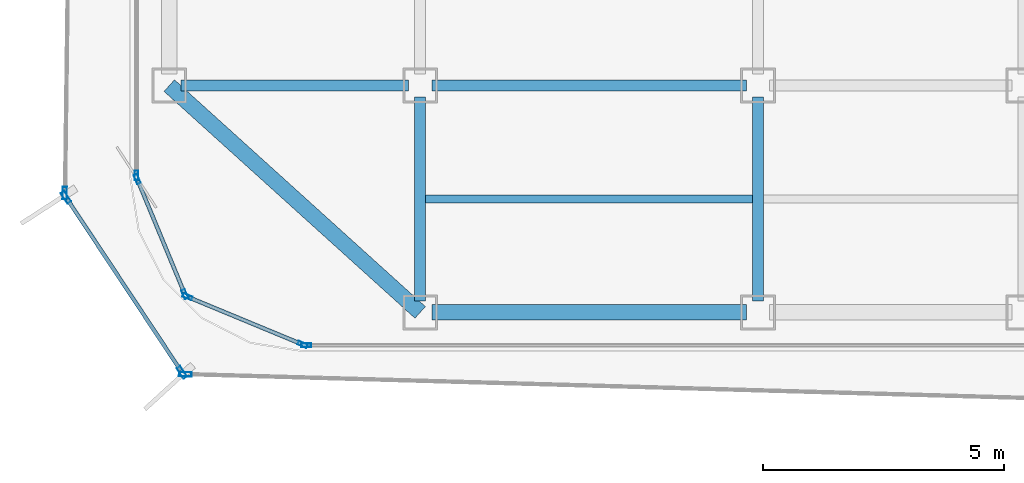
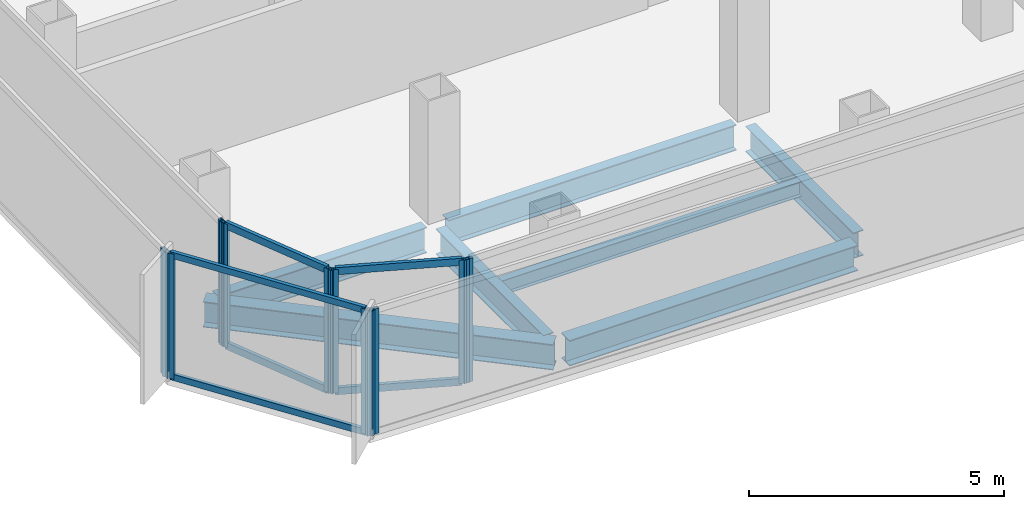
# One storey, part 2 of 15: 16 members, 7 beams, 7 elements without a shape of their own.
"""IFC4 building model written with IfcOpenShell, lengths in metres."""

from ifc_helpers import new_model, si_unit, direction, frame, origin, origin_2d, place, context, subcontext, project, spatial, hollow_rectangle, i_section, extrude, source, transform, mapped, material, layer, layer_set, material_profile, profile_set, type_object, element, aggregate, save


model = new_model("IFC4")

# Units and contexts
model_context = context("Model", 3, precision=1e-05, world=origin(), true_north=direction((0.0, 1.0)))
body_context = subcontext(model_context, "Body", "Model", "MODEL_VIEW")
ifc_project = project(units=[si_unit("LENGTHUNIT", "METRE"), si_unit("AREAUNIT", "SQUARE_METRE"), si_unit("VOLUMEUNIT", "CUBIC_METRE"), si_unit("PLANEANGLEUNIT", "RADIAN"), si_unit("MASSUNIT", "GRAM", prefix="KILO")], contexts=[model_context])

# Site, building, storey
site_placement = place(None, origin())
site = spatial("IfcSite", under=ifc_project, at=site_placement, CompositionType="ELEMENT")
building_placement = place(site_placement, origin())
building = spatial("IfcBuilding", under=site, at=building_placement, Name="Kolveth Station Tower", CompositionType="ELEMENT")
storey_placement = place(building_placement, frame((0.0, 0.0, 168.89990234375)))
storey = spatial("IfcBuildingStorey", under=building, at=storey_placement, Name="L47", CompositionType="ELEMENT", Elevation=168.89990234375)

# Beams
ifc_material_1 = material(Name="Steel S355", Category="steel")
ifc_material_profile_1 = material_profile(ifc_material_1, i_section(OverallWidth=0.323974609375, OverallDepth=0.611083984375, WebThickness=0.0126953125, FlangeThickness=0.01904296875, at=origin_2d()), Name="W610x155")
ifc_profile_set_1 = profile_set([ifc_material_profile_1], Name="Steel S355")
beam_type_1 = type_object("IfcBeamType", Name="Beam_SP2", PredefinedType="SPANDREL", material=ifc_profile_set_1)
shared_shape_1 = source(origin(), body_context, "Body", "SweptSolid", [
    extrude(i_section(OverallWidth=0.323974609375, OverallDepth=0.611083984375, WebThickness=0.0126953125, FlangeThickness=0.01904296875, at=origin_2d()), origin(), (0.0, 0.0, 1.0), 7.00927734375),
])
beam_1_placement = place(storey_placement, frame((0.800048828125, 5.5, -0.555419921875), z_axis=(0.741874009795, -0.670539300557, 0.0), x_axis=(0.670539300557, 0.741874009795, 0.0)))
element("IfcBeam", 1, at=beam_1_placement, inside=storey, type_object=beam_type_1, Name="L47 Corner Edge Girder BM-L47-CNR-SW", PredefinedType="SPANDREL", context=body_context, shape_type="MappedRepresentation", body=[
    mapped(shared_shape_1, transform((0.0, 0.0, 0.0), x_axis=(1.0, 0.0, 0.0), y_axis=(0.0, 1.0, 0.0), z_axis=(0.0, 0.0, 1.0), scale=1.0)),
])
shared_shape_2 = source(origin(), body_context, "Body", "SweptSolid", [
    extrude(i_section(OverallWidth=0.323974609375, OverallDepth=0.611083984375, WebThickness=0.0126953125, FlangeThickness=0.01904296875, at=origin_2d()), origin(), (0.0, 0.0, 1.0), 6.52001953125),
])
beam_2_placement = place(storey_placement, frame((6.239990234375, 0.800048828125, -0.555419921875), z_axis=(1.0, 0.0, 0.0), x_axis=(0.0, 1.0, 0.0)))
element("IfcBeam", 2, at=beam_2_placement, inside=storey, type_object=beam_type_1, Name="L47 Perimeter Spandrel BM-L47-PS-1", PredefinedType="SPANDREL", context=body_context, shape_type="MappedRepresentation", body=[
    mapped(shared_shape_2, transform((0.0, 0.0, 0.0), x_axis=(1.0, 0.0, 0.0), y_axis=(0.0, 1.0, 0.0), z_axis=(0.0, 0.0, 1.0), scale=1.0)),
])
ifc_material_profile_2 = material_profile(ifc_material_1, i_section(OverallWidth=0.22900390625, OverallDepth=0.612060546875, WebThickness=0.011962890625, FlangeThickness=0.01953125, at=origin_2d()), Name="W610x125")
ifc_profile_set_2 = profile_set([ifc_material_profile_2], Name="Steel S355")
beam_type_2 = type_object("IfcBeamType", Name="Beam_B5", PredefinedType="BEAM", material=ifc_profile_set_2)
shared_shape_3 = source(origin(), body_context, "Body", "SweptSolid", [
    extrude(i_section(OverallWidth=0.22900390625, OverallDepth=0.612060546875, WebThickness=0.011962890625, FlangeThickness=0.01953125, at=origin_2d()), origin(), (0.0, 0.0, 1.0), 4.719970703125),
])
beam_3_placement = place(storey_placement, frame((1.0400390625, 5.5, -0.555908203125), z_axis=(1.0, 0.0, 0.0), x_axis=(0.0, 1.0, 0.0)))
element("IfcBeam", 3, at=beam_3_placement, inside=storey, type_object=beam_type_2, Name="L47 Primary Girder BM-L47-GY55-1", PredefinedType="BEAM", context=body_context, shape_type="MappedRepresentation", body=[
    mapped(shared_shape_3, transform((0.0, 0.0, 0.0), x_axis=(1.0, 0.0, 0.0), y_axis=(0.0, 1.0, 0.0), z_axis=(0.0, 0.0, 1.0), scale=1.0)),
])
shared_shape_4 = source(origin(), body_context, "Body", "SweptSolid", [
    extrude(i_section(OverallWidth=0.22900390625, OverallDepth=0.612060546875, WebThickness=0.011962890625, FlangeThickness=0.01953125, at=origin_2d()), origin(), (0.0, 0.0, 1.0), 6.52001953125),
])
beam_4_placement = place(storey_placement, frame((6.239990234375, 5.5, -0.555908203125), z_axis=(1.0, 0.0, 0.0), x_axis=(0.0, 1.0, 0.0)))
element("IfcBeam", 4, at=beam_4_placement, inside=storey, type_object=beam_type_2, Name="L47 Primary Girder BM-L47-GY55-2", PredefinedType="BEAM", context=body_context, shape_type="MappedRepresentation", body=[
    mapped(shared_shape_4, transform((0.0, 0.0, 0.0), x_axis=(1.0, 0.0, 0.0), y_axis=(0.0, 1.0, 0.0), z_axis=(0.0, 0.0, 1.0), scale=1.0)),
])
shared_shape_5 = source(origin(), body_context, "Body", "SweptSolid", [
    extrude(i_section(OverallWidth=0.22900390625, OverallDepth=0.612060546875, WebThickness=0.011962890625, FlangeThickness=0.01953125, at=origin_2d()), origin(), (0.0, 0.0, 1.0), 4.219970703125),
])
for number, where, z_axis, x_axis, name in (
    (5, (6.0, 1.0400390625, -0.555908203125), (0.0, 1.0, 0.0), (-1.0, 0.0, 0.0), "L47 Primary Girder BM-L47-GX60-1"),
    (6, (13.0, 1.0400390625, -0.555908203125), (0.0, 1.0, 0.0), (-1.0, 0.0, 0.0), "L47 Primary Girder BM-L47-GX130-1"),
):
    element("IfcBeam", number, at=place(storey_placement, frame(where, z_axis=z_axis, x_axis=x_axis)), inside=storey, type_object=beam_type_2, Name=name, PredefinedType="BEAM", context=body_context, shape_type="MappedRepresentation", body=[
        mapped(shared_shape_5, transform((0.0, 0.0, 0.0), x_axis=(1.0, 0.0, 0.0), y_axis=(0.0, 1.0, 0.0), z_axis=(0.0, 0.0, 1.0), scale=1.0)),
    ])
ifc_material_profile_3 = material_profile(ifc_material_1, i_section(OverallWidth=0.1708984375, OverallDepth=0.35205078125, WebThickness=0.0068359375, FlangeThickness=0.009765625, at=origin_2d()), Name="W360x44")
ifc_profile_set_3 = profile_set([ifc_material_profile_3], Name="Steel S355")
beam_type_3 = type_object("IfcBeamType", Name="Beam_J2", PredefinedType="JOIST", material=ifc_profile_set_3)
shared_shape_6 = source(origin(), body_context, "Body", "SweptSolid", [
    extrude(i_section(OverallWidth=0.1708984375, OverallDepth=0.35205078125, WebThickness=0.0068359375, FlangeThickness=0.009765625, at=origin_2d()), origin(), (0.0, 0.0, 1.0), 6.77490234375),
])
beam_5_placement = place(storey_placement, frame((6.112548828125, 3.14990234375, -0.42578125), z_axis=(1.0, 0.0, 0.0), x_axis=(0.0, 1.0, 0.0)))
element("IfcBeam", 7, at=beam_5_placement, inside=storey, type_object=beam_type_3, Name="L47 Secondary Joist JST-L47-2-1", PredefinedType="JOIST", context=body_context, shape_type="MappedRepresentation", body=[
    mapped(shared_shape_6, transform((0.0, 0.0, 0.0), x_axis=(1.0, 0.0, 0.0), y_axis=(0.0, 1.0, 0.0), z_axis=(0.0, 0.0, 1.0), scale=1.0)),
])

# Curtain wall, member
ifc_material_2 = material(Name="Black anodized aluminium 6063-T6 and dark solar glass", Category="aluminium")
ifc_layer_1 = layer(ifc_material_2, 0.159912109375)
ifc_layer_set_1 = layer_set([ifc_layer_1], Name="Black anodized aluminium 6063-T6 and dark solar glass")
curtain_wall_type_1 = type_object("IfcCurtainWallType", Name="OUTER SKIN CW-OS", PredefinedType="NOTDEFINED", material=ifc_layer_set_1)
curtain_wall_1_placement = place(storey_placement, origin())
curtain_wall_1 = element("IfcCurtainWall", 8, at=curtain_wall_1_placement, inside=storey, type_object=curtain_wall_type_1, Name="L47 Outer Ventilated Skin Curtain Wall 6", PredefinedType="NOTDEFINED")
ifc_material_3 = material(Name="Black anodized aluminium 6063-T6", Category="aluminium")
ifc_material_profile_4 = material_profile(ifc_material_3, hollow_rectangle(XDim=0.090087890625, YDim=0.260009765625, WallThickness=0.0048828125, at=origin_2d()), Name="ALU-90x260x5")
ifc_profile_set_4 = profile_set([ifc_material_profile_4], Name="Black anodized aluminium 6063-T6")
member_type_1 = type_object("IfcMemberType", Name="FIN MULLION ML-OS", PredefinedType="MULLION", material=ifc_profile_set_4)
shared_shape_7 = source(origin(), body_context, "Body", "SweptSolid", [
    extrude(hollow_rectangle(XDim=0.090087890625, YDim=0.260009765625, WallThickness=0.0048828125, at=origin_2d()), origin(), (0.0, 0.0, 1.0), 2.989990234375),
])
member_1_placement = place(storey_placement, frame((-1.365478515625, 3.270263671875, 0.0), z_axis=(0.0, 0.0, 1.0), x_axis=(0.999914533715, -0.013073838988, 0.0)))
member_1 = element("IfcMember", 9, at=member_1_placement, type_object=member_type_1, Name="CW-OS mullion 2", PredefinedType="MULLION", context=body_context, shape_type="MappedRepresentation", body=[
    mapped(shared_shape_7, transform((0.0, 0.0, 0.0), x_axis=(1.0, 0.0, 0.0), y_axis=(0.0, 1.0, 0.0), z_axis=(0.0, 0.0, 1.0), scale=1.0)),
])
aggregate(curtain_wall_1, [member_1])

# Curtain wall, members
curtain_wall_2_placement = place(storey_placement, origin())
curtain_wall_2 = element("IfcCurtainWall", 10, at=curtain_wall_2_placement, inside=storey, type_object=curtain_wall_type_1, Name="L47 Outer Ventilated Skin Curtain Wall 7", PredefinedType="NOTDEFINED")
member_2_placement = place(storey_placement, frame((-1.341064453125, 3.187744140625, 0.0), z_axis=(0.0, 0.0, 1.0), x_axis=(0.833856212315, 0.551981718161, 0.0)))
member_2 = element("IfcMember", 11, at=member_2_placement, type_object=member_type_1, Name="CW-OS mullion 1", PredefinedType="MULLION", context=body_context, shape_type="MappedRepresentation", body=[
    mapped(shared_shape_7, transform((0.0, 0.0, 0.0), x_axis=(1.0, 0.0, 0.0), y_axis=(0.0, 1.0, 0.0), z_axis=(0.0, 0.0, 1.0), scale=1.0)),
])
member_3_placement = place(storey_placement, frame((1.0625, -0.443359375, 0.0), z_axis=(0.0, 0.0, 1.0), x_axis=(0.833856212315, 0.551981718161, 0.0)))
member_3 = element("IfcMember", 12, at=member_3_placement, type_object=member_type_1, Name="CW-OS mullion 2", PredefinedType="MULLION", context=body_context, shape_type="MappedRepresentation", body=[
    mapped(shared_shape_7, transform((0.0, 0.0, 0.0), x_axis=(1.0, 0.0, 0.0), y_axis=(0.0, 1.0, 0.0), z_axis=(0.0, 0.0, 1.0), scale=1.0)),
])

# Curtain wall, member
curtain_wall_3_placement = place(storey_placement, origin())
curtain_wall_3 = element("IfcCurtainWall", 13, at=curtain_wall_3_placement, inside=storey, type_object=curtain_wall_type_1, Name="L47 Outer Ventilated Skin Curtain Wall 8", PredefinedType="NOTDEFINED")
member_4_placement = place(storey_placement, frame((1.13232421875, -0.482177734375, 0.0), z_axis=(0.0, 0.0, 1.0), x_axis=(0.028326716282, 0.999598718059, 0.0)))
member_4 = element("IfcMember", 14, at=member_4_placement, type_object=member_type_1, Name="CW-OS mullion 1", PredefinedType="MULLION", context=body_context, shape_type="MappedRepresentation", body=[
    mapped(shared_shape_7, transform((0.0, 0.0, 0.0), x_axis=(1.0, 0.0, 0.0), y_axis=(0.0, 1.0, 0.0), z_axis=(0.0, 0.0, 1.0), scale=1.0)),
])
aggregate(curtain_wall_3, [member_4])

ifc_material_4 = material(Name="Aluminium 6063-T6 and low-E dark glass", Category="aluminium")
ifc_layer_2 = layer(ifc_material_4, 0.18994140625)
ifc_layer_set_2 = layer_set([ifc_layer_2], Name="Aluminium 6063-T6 and low-E dark glass")
curtain_wall_type_2 = type_object("IfcCurtainWallType", Name="CurtainWall_CW-Z2", PredefinedType="NOTDEFINED", material=ifc_layer_set_2)
curtain_wall_4_placement = place(storey_placement, origin())
curtain_wall_4 = element("IfcCurtainWall", 15, at=curtain_wall_4_placement, inside=storey, type_object=curtain_wall_type_2, Name="L47 Inner Thermal Curtain Wall 9", PredefinedType="NOTDEFINED")
ifc_material_profile_5 = material_profile(ifc_material_3, hollow_rectangle(XDim=0.080078125, YDim=0.199951171875, WallThickness=0.0048828125, at=origin_2d()), Name="ALU-80x200x5")
ifc_profile_set_5 = profile_set([ifc_material_profile_5], Name="Black anodized aluminium 6063-T6")
member_type_2 = type_object("IfcMemberType", Name="Mullion_ML2", PredefinedType="MULLION", material=ifc_profile_set_5)
shared_shape_8 = source(origin(), body_context, "Body", "SweptSolid", [
    extrude(hollow_rectangle(XDim=0.080078125, YDim=0.199951171875, WallThickness=0.0048828125, at=origin_2d()), origin(), (0.0, 0.0, 1.0), 2.9501953125),
])
member_5_placement = place(storey_placement, frame((0.1201171875, 3.639892578125, 0.0), z_axis=(0.0, 0.0, 1.0), x_axis=(1.0, 0.0, 0.0)))
member_5 = element("IfcMember", 16, at=member_5_placement, type_object=member_type_2, Name="CW-Z2 mullion 2", PredefinedType="MULLION", context=body_context, shape_type="MappedRepresentation", body=[
    mapped(shared_shape_8, transform((0.0, 0.0, 0.0), x_axis=(1.0, 0.0, 0.0), y_axis=(0.0, 1.0, 0.0), z_axis=(0.0, 0.0, 1.0), scale=1.0)),
])
aggregate(curtain_wall_4, [member_5])

# Curtain wall, members
curtain_wall_5_placement = place(storey_placement, origin())
curtain_wall_5 = element("IfcCurtainWall", 17, at=curtain_wall_5_placement, inside=storey, type_object=curtain_wall_type_2, Name="L47 Inner Thermal Curtain Wall 10", PredefinedType="NOTDEFINED")
member_6_placement = place(storey_placement, frame((0.13525390625, 3.56298828125, 0.0), z_axis=(0.0, 0.0, 1.0), x_axis=(0.923873600544, 0.382697753087, 0.0)))
member_6 = element("IfcMember", 18, at=member_6_placement, type_object=member_type_2, Name="CW-Z2 mullion 1", PredefinedType="MULLION", context=body_context, shape_type="MappedRepresentation", body=[
    mapped(shared_shape_8, transform((0.0, 0.0, 0.0), x_axis=(1.0, 0.0, 0.0), y_axis=(0.0, 1.0, 0.0), z_axis=(0.0, 0.0, 1.0), scale=1.0)),
])
member_7_placement = place(storey_placement, frame((1.1240234375, 1.17626953125, 0.0), z_axis=(0.0, 0.0, 1.0), x_axis=(0.923873600544, 0.382697753087, 0.0)))
member_7 = element("IfcMember", 19, at=member_7_placement, type_object=member_type_2, Name="CW-Z2 mullion 2", PredefinedType="MULLION", context=body_context, shape_type="MappedRepresentation", body=[
    mapped(shared_shape_8, transform((0.0, 0.0, 0.0), x_axis=(1.0, 0.0, 0.0), y_axis=(0.0, 1.0, 0.0), z_axis=(0.0, 0.0, 1.0), scale=1.0)),
])

curtain_wall_6_placement = place(storey_placement, origin())
curtain_wall_6 = element("IfcCurtainWall", 20, at=curtain_wall_6_placement, inside=storey, type_object=curtain_wall_type_2, Name="L47 Inner Thermal Curtain Wall 11", PredefinedType="NOTDEFINED")
member_8_placement = place(storey_placement, frame((1.17626953125, 1.1240234375, 0.0), z_axis=(0.0, 0.0, 1.0), x_axis=(0.382697753087, 0.923873600544, 0.0)))
member_8 = element("IfcMember", 21, at=member_8_placement, type_object=member_type_2, Name="CW-Z2 mullion 1", PredefinedType="MULLION", context=body_context, shape_type="MappedRepresentation", body=[
    mapped(shared_shape_8, transform((0.0, 0.0, 0.0), x_axis=(1.0, 0.0, 0.0), y_axis=(0.0, 1.0, 0.0), z_axis=(0.0, 0.0, 1.0), scale=1.0)),
])
member_9_placement = place(storey_placement, frame((3.56298828125, 0.13525390625, 0.0), z_axis=(0.0, 0.0, 1.0), x_axis=(0.382697753087, 0.923873600544, 0.0)))
member_9 = element("IfcMember", 22, at=member_9_placement, type_object=member_type_2, Name="CW-Z2 mullion 2", PredefinedType="MULLION", context=body_context, shape_type="MappedRepresentation", body=[
    mapped(shared_shape_8, transform((0.0, 0.0, 0.0), x_axis=(1.0, 0.0, 0.0), y_axis=(0.0, 1.0, 0.0), z_axis=(0.0, 0.0, 1.0), scale=1.0)),
])

# Curtain wall, member
curtain_wall_7_placement = place(storey_placement, origin())
curtain_wall_7 = element("IfcCurtainWall", 23, at=curtain_wall_7_placement, inside=storey, type_object=curtain_wall_type_2, Name="L47 Inner Thermal Curtain Wall 12", PredefinedType="NOTDEFINED")
member_10_placement = place(storey_placement, frame((3.639892578125, 0.1201171875, 0.0), z_axis=(0.0, 0.0, 1.0), x_axis=(0.0, 1.0, 0.0)))
member_10 = element("IfcMember", 24, at=member_10_placement, type_object=member_type_2, Name="CW-Z2 mullion 1", PredefinedType="MULLION", context=body_context, shape_type="MappedRepresentation", body=[
    mapped(shared_shape_8, transform((0.0, 0.0, 0.0), x_axis=(1.0, 0.0, 0.0), y_axis=(0.0, 1.0, 0.0), z_axis=(0.0, 0.0, 1.0), scale=1.0)),
])
aggregate(curtain_wall_7, [member_10])

# Member
ifc_material_profile_6 = material_profile(ifc_material_3, hollow_rectangle(XDim=0.080078125, YDim=0.169921875, WallThickness=0.0048828125, at=origin_2d()), Name="ALU-80x170x5")
ifc_profile_set_6 = profile_set([ifc_material_profile_6], Name="Black anodized aluminium 6063-T6")
member_type_3 = type_object("IfcMemberType", Name="Transom_TR2", PredefinedType="USERDEFINED", material=ifc_profile_set_6)
shared_shape_9 = source(origin(), body_context, "Body", "SweptSolid", [
    extrude(hollow_rectangle(XDim=0.080078125, YDim=0.169921875, WallThickness=0.0048828125, at=origin_2d()), origin(), (0.0, 0.0, 1.0), 2.50341796875),
])
member_11_placement = place(storey_placement, frame((0.150634765625, 3.526123046875, 0.0400390625), z_axis=(0.382661849723, -0.923888472039, 0.0), x_axis=(0.923888472039, 0.382661849723, 0.0)))
member_11 = element("IfcMember", 25, at=member_11_placement, type_object=member_type_3, Name="CW-Z2 transom 1.1", ObjectType="TRANSOM", PredefinedType="USERDEFINED", context=body_context, shape_type="MappedRepresentation", body=[
    mapped(shared_shape_9, transform((0.0, 0.0, 0.0), x_axis=(1.0, 0.0, 0.0), y_axis=(0.0, 1.0, 0.0), z_axis=(0.0, 0.0, 1.0), scale=1.0)),
])

member_12_placement = place(storey_placement, frame((0.150634765625, 3.526123046875, 2.91015625), z_axis=(0.382661849723, -0.923888472039, 0.0), x_axis=(0.923888472039, 0.382661849723, 0.0)))
member_12 = element("IfcMember", 26, at=member_12_placement, type_object=member_type_3, Name="CW-Z2 transom 1.2", ObjectType="TRANSOM", PredefinedType="USERDEFINED", context=body_context, shape_type="MappedRepresentation", body=[
    mapped(shared_shape_9, transform((0.0, 0.0, 0.0), x_axis=(1.0, 0.0, 0.0), y_axis=(0.0, 1.0, 0.0), z_axis=(0.0, 0.0, 1.0), scale=1.0)),
])

aggregate(curtain_wall_5, [member_6, member_7, member_11, member_12])

member_13_placement = place(storey_placement, frame((1.213134765625, 1.108642578125, 0.0400390625), z_axis=(0.923888472039, -0.382661849723, 0.0), x_axis=(0.382661849723, 0.923888472039, 0.0)))
member_13 = element("IfcMember", 27, at=member_13_placement, type_object=member_type_3, Name="CW-Z2 transom 1.1", ObjectType="TRANSOM", PredefinedType="USERDEFINED", context=body_context, shape_type="MappedRepresentation", body=[
    mapped(shared_shape_9, transform((0.0, 0.0, 0.0), x_axis=(1.0, 0.0, 0.0), y_axis=(0.0, 1.0, 0.0), z_axis=(0.0, 0.0, 1.0), scale=1.0)),
])

member_14_placement = place(storey_placement, frame((1.213134765625, 1.108642578125, 2.91015625), z_axis=(0.923888472039, -0.382661849723, 0.0), x_axis=(0.382661849723, 0.923888472039, 0.0)))
member_14 = element("IfcMember", 28, at=member_14_placement, type_object=member_type_3, Name="CW-Z2 transom 1.2", ObjectType="TRANSOM", PredefinedType="USERDEFINED", context=body_context, shape_type="MappedRepresentation", body=[
    mapped(shared_shape_9, transform((0.0, 0.0, 0.0), x_axis=(1.0, 0.0, 0.0), y_axis=(0.0, 1.0, 0.0), z_axis=(0.0, 0.0, 1.0), scale=1.0)),
])

aggregate(curtain_wall_6, [member_8, member_9, member_13, member_14])

ifc_material_profile_7 = material_profile(ifc_material_3, hollow_rectangle(XDim=0.080078125, YDim=0.14990234375, WallThickness=0.0048828125, at=origin_2d()), Name="ALU-80x150x5")
ifc_profile_set_7 = profile_set([ifc_material_profile_7], Name="Black anodized aluminium 6063-T6")
member_type_4 = type_object("IfcMemberType", Name="Transom_TR-OS", PredefinedType="USERDEFINED", material=ifc_profile_set_7)
shared_shape_10 = source(origin(), body_context, "Body", "SweptSolid", [
    extrude(hollow_rectangle(XDim=0.080078125, YDim=0.14990234375, WallThickness=0.0048828125, at=origin_2d()), origin(), (0.0, 0.0, 1.0), 4.264404296875),
])
member_15_placement = place(storey_placement, frame((-1.31640625, 3.150146484375, 0.0400390625), z_axis=(0.552002143878, -0.833842690892, 0.0), x_axis=(0.833842690892, 0.552002143878, 0.0)))
member_15 = element("IfcMember", 29, at=member_15_placement, type_object=member_type_4, Name="CW-OS transom 1.1", ObjectType="TRANSOM", PredefinedType="USERDEFINED", context=body_context, shape_type="MappedRepresentation", body=[
    mapped(shared_shape_10, transform((0.0, 0.0, 0.0), x_axis=(1.0, 0.0, 0.0), y_axis=(0.0, 1.0, 0.0), z_axis=(0.0, 0.0, 1.0), scale=1.0)),
])

member_16_placement = place(storey_placement, frame((-1.31640625, 3.150146484375, 2.9501953125), z_axis=(0.552002143878, -0.833842690892, 0.0), x_axis=(0.833842690892, 0.552002143878, 0.0)))
member_16 = element("IfcMember", 30, at=member_16_placement, type_object=member_type_4, Name="CW-OS transom 1.2", ObjectType="TRANSOM", PredefinedType="USERDEFINED", context=body_context, shape_type="MappedRepresentation", body=[
    mapped(shared_shape_10, transform((0.0, 0.0, 0.0), x_axis=(1.0, 0.0, 0.0), y_axis=(0.0, 1.0, 0.0), z_axis=(0.0, 0.0, 1.0), scale=1.0)),
])

aggregate(curtain_wall_2, [member_2, member_3, member_15, member_16])

save(model, "model.ifc")
